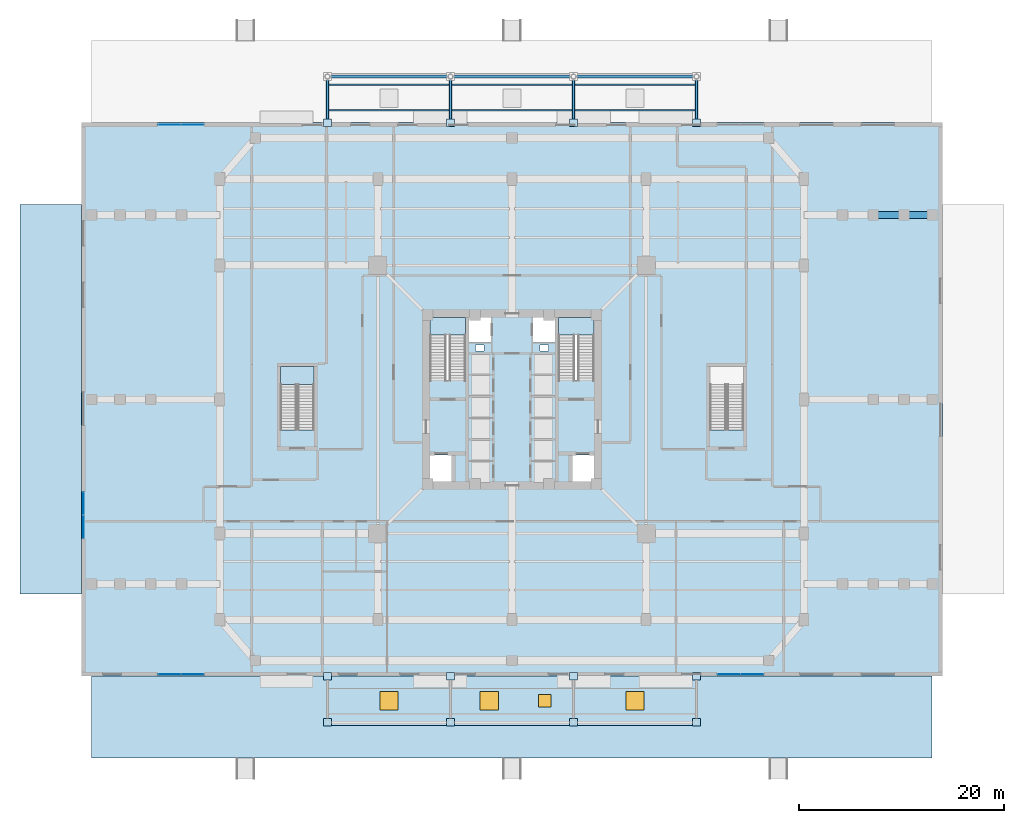
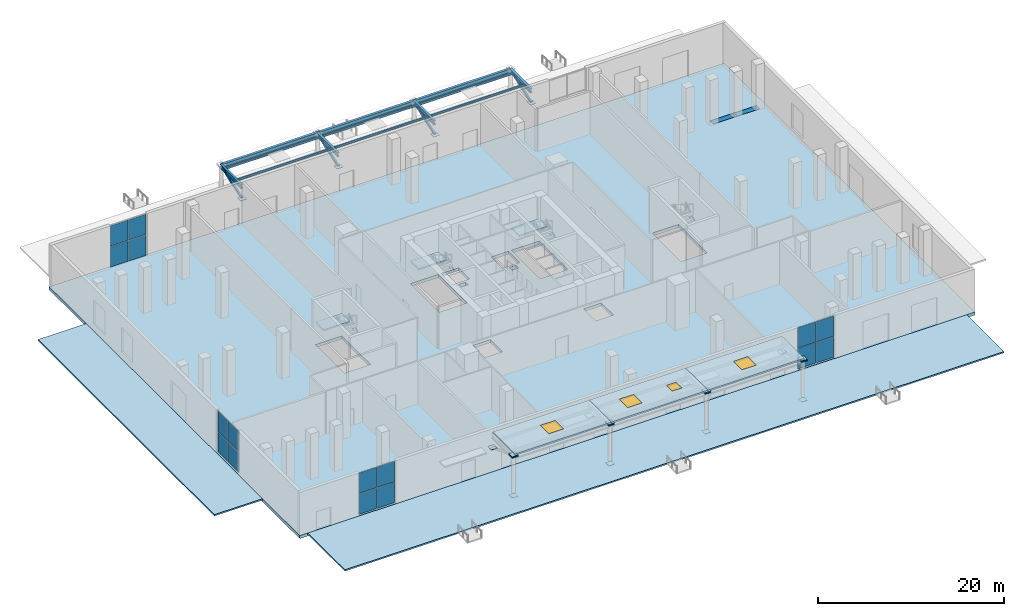
# One storey, part 13 of 25: 36 plates, 10 members, 9 beams, 9 slabs, 4 windows, 4 openings, 7 elements without a shape of their own.
"""IFC4 building model written with IfcOpenShell, lengths in metres."""

from ifc_helpers import new_model, si_unit, direction, frame, origin, origin_2d, place, context, subcontext, project, spatial, polyline, rectangle, hollow_rectangle, i_section, outline, extrude, source, transform, mapped, material, layer, layer_set, material_profile, profile_set, type_object, element, fill, aggregate, save


model = new_model("IFC4")

# Units and contexts
model_context = context("Model", 3, precision=1e-05, world=origin(), true_north=direction((0.0, 1.0)))
body_context = subcontext(model_context, "Body", "Model", "MODEL_VIEW")
ifc_project = project(units=[si_unit("LENGTHUNIT", "METRE"), si_unit("AREAUNIT", "SQUARE_METRE"), si_unit("VOLUMEUNIT", "CUBIC_METRE"), si_unit("PLANEANGLEUNIT", "RADIAN"), si_unit("MASSUNIT", "GRAM", prefix="KILO"), si_unit("THERMODYNAMICTEMPERATUREUNIT", "KELVIN")], contexts=[model_context])

# Site, building, storey
site_placement = place(None, origin())
site = spatial("IfcSite", under=ifc_project, at=site_placement, CompositionType="ELEMENT")
building_placement = place(site_placement, origin())
building = spatial("IfcBuilding", under=site, at=building_placement, Name="Kosmvard Interchange Tower", CompositionType="ELEMENT")
storey_placement = place(building_placement, origin())
storey = spatial("IfcBuildingStorey", under=building, at=storey_placement, Name="L00", CompositionType="ELEMENT", Elevation=0.0)

# Beams
ifc_material_1 = material(Name="Concrete C60/75", Category="concrete")
ifc_material_profile_1 = material_profile(ifc_material_1, rectangle(XDim=0.699951171875, YDim=1.0, at=origin_2d()), Name="RCG 700x1000")
ifc_profile_set_1 = profile_set([ifc_material_profile_1], Name="Concrete C60/75")
beam_type_1 = type_object("IfcBeamType", Name="Concourse Primary RC Girder 700x1000 C60/75", PredefinedType="BEAM", material=ifc_profile_set_1)
shared_shape_1 = source(origin(), body_context, "Body", "SweptSolid", [
    extrude(rectangle(XDim=0.699951171875, YDim=1.0, at=origin_2d()), origin(), (0.0, 0.0, 1.0), 3.0),
])
beam_1_placement = place(storey_placement, frame((35.25, 18.0, -0.5), z_axis=(1.0, 0.0, 0.0), x_axis=(0.0, 1.0, 0.0)))
element("IfcBeam", 1, at=beam_1_placement, inside=storey, type_object=beam_type_1, Name="BM-L00-PG-TCE33", PredefinedType="BEAM", context=body_context, shape_type="MappedRepresentation", body=[
    mapped(shared_shape_1, transform((0.0, 0.0, 0.0), scale=1.0)),
])
shared_shape_2 = source(origin(), body_context, "Body", "SweptSolid", [
    extrude(rectangle(XDim=0.699951171875, YDim=1.0, at=origin_2d()), origin(), (0.0, 0.0, 1.0), 2.75),
])
beam_2_placement = place(storey_placement, frame((38.25, 18.0, -0.5), z_axis=(1.0, 0.0, 0.0), x_axis=(0.0, 1.0, 0.0)))
element("IfcBeam", 2, at=beam_2_placement, inside=storey, type_object=beam_type_1, Name="BM-L00-PG-TCE34", PredefinedType="BEAM", context=body_context, shape_type="MappedRepresentation", body=[
    mapped(shared_shape_2, transform((0.0, 0.0, 0.0), scale=1.0)),
])
ifc_material_2 = material(Name="Steel S355", Category="steel")
ifc_material_profile_2 = material_profile(ifc_material_2, i_section(OverallWidth=0.300048828125, OverallDepth=0.550048828125, WebThickness=0.014892578125, FlangeThickness=0.029052734375, FilletRadius=0.027099609375, at=origin_2d()), Name="HEB 550")
ifc_profile_set_2 = profile_set([ifc_material_profile_2], Name="Steel S355")
beam_type_2 = type_object("IfcBeamType", Name="Crown Ring Cap Girder HEB 550 S355", PredefinedType="BEAM", material=ifc_profile_set_2)
shared_shape_3 = source(origin(), body_context, "Body", "SweptSolid", [
    extrude(i_section(OverallWidth=0.300048828125, OverallDepth=0.550048828125, WebThickness=0.014892578125, FlangeThickness=0.029052734375, FilletRadius=0.027099609375, at=origin_2d()), origin(), (0.0, 0.0, 1.0), 12.0),
])
for number, where, z_axis, x_axis, name in (
    (3, (-18.0, 31.5, 4.7451171875), (1.0, 0.0, 0.0), (0.0, 1.0, 0.0), "BM-L00-CGN1"),
    (4, (-6.0, 31.5, 4.7451171875), (1.0, 0.0, 0.0), (0.0, 1.0, 0.0), "BM-L00-CGN2"),
    (5, (6.0, 31.5, 4.7451171875), (1.0, 0.0, 0.0), (0.0, 1.0, 0.0), "BM-L00-CGN3"),
):
    element("IfcBeam", number, at=place(storey_placement, frame(where, z_axis=z_axis, x_axis=x_axis)), inside=storey, type_object=beam_type_2, Name=name, PredefinedType="BEAM", context=body_context, shape_type="MappedRepresentation", body=[
        mapped(shared_shape_3, transform((0.0, 0.0, 0.0), scale=1.0)),
    ])

# Members
ifc_material_profile_3 = material_profile(ifc_material_2, i_section(OverallWidth=0.135009765625, OverallDepth=0.27001953125, WebThickness=0.006591796875, FlangeThickness=0.01025390625, FilletRadius=0.014892578125, at=origin_2d()), Name="IPE 270")
ifc_profile_set_3 = profile_set([ifc_material_profile_3], Name="Steel S355")
member_type_1 = type_object("IfcMemberType", Name="Podium Canopy Roof Purlin IPE 270 S355", PredefinedType="PURLIN", material=ifc_profile_set_3)
shared_shape_4 = source(origin(), body_context, "Body", "SweptSolid", [
    extrude(i_section(OverallWidth=0.135009765625, OverallDepth=0.27001953125, WebThickness=0.006591796875, FlangeThickness=0.01025390625, FilletRadius=0.014892578125, at=origin_2d()), origin(), (0.0, 0.0, 1.0), 12.0),
])
for number, where, z_axis, x_axis, name in (
    (6, (-18.0, 28.199951171875, 4.885009765625), (1.0, 0.0, 0.0), (0.0, 1.0, 0.0), "L00 Canopy Roof Purlin N1.1"),
    (7, (-18.0, 30.699951171875, 4.885009765625), (1.0, 0.0, 0.0), (0.0, 1.0, 0.0), "L00 Canopy Roof Purlin N1.2"),
    (8, (-6.0, 28.199951171875, 4.885009765625), (1.0, 0.0, 0.0), (0.0, 1.0, 0.0), "L00 Canopy Roof Purlin N2.1"),
    (9, (-6.0, 30.699951171875, 4.885009765625), (1.0, 0.0, 0.0), (0.0, 1.0, 0.0), "L00 Canopy Roof Purlin N2.2"),
    (10, (6.0, 28.199951171875, 4.885009765625), (1.0, 0.0, 0.0), (0.0, 1.0, 0.0), "L00 Canopy Roof Purlin N3.1"),
    (11, (6.0, 30.699951171875, 4.885009765625), (1.0, 0.0, 0.0), (0.0, 1.0, 0.0), "L00 Canopy Roof Purlin N3.2"),
):
    element("IfcMember", number, at=place(storey_placement, frame(where, z_axis=z_axis, x_axis=x_axis)), inside=storey, type_object=member_type_1, Name=name, PredefinedType="PURLIN", context=body_context, shape_type="MappedRepresentation", body=[
        mapped(shared_shape_4, transform((0.0, 0.0, 0.0), scale=1.0)),
    ])

# Beams
shared_shape_5 = source(origin(), body_context, "Body", "SweptSolid", [
    extrude(i_section(OverallWidth=0.300048828125, OverallDepth=0.550048828125, WebThickness=0.014892578125, FlangeThickness=0.029052734375, FilletRadius=0.027099609375, at=origin_2d()), origin(), (0.0, 0.0, 1.0), 4.5),
])
for number, where, z_axis, x_axis, name in (
    (12, (-18.0, 27.0, 4.7451171875), (0.0, 1.0, 0.0), (-1.0, 0.0, 0.0), "BM-L00-CTN1"),
    (13, (-6.0, 27.0, 4.7451171875), (0.0, 1.0, 0.0), (-1.0, 0.0, 0.0), "BM-L00-CTN2"),
    (14, (6.0, 27.0, 4.7451171875), (0.0, 1.0, 0.0), (-1.0, 0.0, 0.0), "BM-L00-CTN3"),
    (15, (18.0, 27.0, 4.7451171875), (0.0, 1.0, 0.0), (-1.0, 0.0, 0.0), "BM-L00-CTN4"),
):
    element("IfcBeam", number, at=place(storey_placement, frame(where, z_axis=z_axis, x_axis=x_axis)), inside=storey, type_object=beam_type_2, Name=name, PredefinedType="BEAM", context=body_context, shape_type="MappedRepresentation", body=[
        mapped(shared_shape_5, transform((0.0, 0.0, 0.0), scale=1.0)),
    ])

# Members
ifc_material_profile_4 = material_profile(ifc_material_2, hollow_rectangle(XDim=0.199951171875, YDim=0.300048828125, WallThickness=0.01611328125, at=origin_2d()), Name="RHS 300x200x16")
ifc_profile_set_4 = profile_set([ifc_material_profile_4], Name="Steel S355")
member_type_2 = type_object("IfcMemberType", Name="Terrace Pergola Strut RHS 300x200x16 S355", PredefinedType="STRUT", material=ifc_profile_set_4)
shared_shape_6 = source(origin(), body_context, "Body", "SweptSolid", [
    extrude(hollow_rectangle(XDim=0.199951171875, YDim=0.300048828125, WallThickness=0.01611328125, at=origin_2d()), origin(), (0.0, 0.0, 1.0), 4.79296875),
])
for number, where, z_axis, x_axis, name in (
    (16, (-18.0, 27.0, 3.199951171875), (0.0, 0.93886643746, 0.344281589127), (-1.0, 0.0, 0.0), "L00 Entrance Canopy Strut N1"),
    (17, (-6.0, 27.0, 3.199951171875), (0.0, 0.93886643746, 0.344281589127), (-1.0, 0.0, 0.0), "L00 Entrance Canopy Strut N2"),
    (18, (6.0, 27.0, 3.199951171875), (0.0, 0.93886643746, 0.344281589127), (-1.0, 0.0, 0.0), "L00 Entrance Canopy Strut N3"),
    (19, (18.0, 27.0, 3.199951171875), (0.0, 0.93886643746, 0.344281589127), (-1.0, 0.0, 0.0), "L00 Entrance Canopy Strut N4"),
):
    element("IfcMember", number, at=place(storey_placement, frame(where, z_axis=z_axis, x_axis=x_axis)), inside=storey, type_object=member_type_2, Name=name, PredefinedType="STRUT", context=body_context, shape_type="MappedRepresentation", body=[
        mapped(shared_shape_6, transform((0.0, 0.0, 0.0), scale=1.0)),
    ])

# Slabs
ifc_material_3 = material(Name="Concrete C40/50", Category="concrete")
ifc_layer_1 = layer(ifc_material_3, 0.18994140625, Name="Concrete C40/50")
ifc_layer_set_1 = layer_set([ifc_layer_1], Name="Concrete C40/50")
slab_type_1 = type_object("IfcSlabType", Name="Arrival Plaza Paving Slab 190 C40/50", PredefinedType="FLOOR", material=ifc_layer_set_1)
slab_1_placement = place(storey_placement, frame((0.0, 0.0, -0.18994140625)))
element("IfcSlab", 20, at=slab_1_placement, inside=storey, type_object=slab_type_1, Name="L00 Outdoor Terrace Balcony Slab PLZ-S", PredefinedType="FLOOR", context=body_context, shape_type="SweptSolid", body=[
    extrude(outline(polyline([(-41.0, -35.0), (41.0, -35.0), (41.0, -27.0), (-41.0, -27.0), (-41.0, -35.0)])), origin(), (0.0, 0.0, 1.0), 0.18994140625),
])
slab_2_placement = place(storey_placement, frame((0.0, 0.0, -0.18994140625)))
element("IfcSlab", 21, at=slab_2_placement, inside=storey, type_object=slab_type_1, Name="L00 Outdoor Terrace Balcony Slab PLZ-W", PredefinedType="FLOOR", context=body_context, shape_type="SweptSolid", body=[
    extrude(outline(polyline([(-48.0, -19.0), (-42.0, -19.0), (-42.0, 19.0), (-48.0, 19.0), (-48.0, -19.0)])), origin(), (0.0, 0.0, 1.0), 0.18994140625),
])

# Slab, opening, window
ifc_material_4 = material(Name="Precast concrete C45/55", Category="concrete")
ifc_layer_2 = layer(ifc_material_4, 0.2099609375, Name="Precast concrete C45/55")
ifc_layer_set_2 = layer_set([ifc_layer_2], Name="Precast concrete C45/55")
slab_type_2 = type_object("IfcSlabType", Name="Canopy & Podium Roof Deck Slab 210 C45/55", PredefinedType="ROOF", material=ifc_layer_set_2)
slab_3_placement = place(storey_placement, frame((0.0, 0.0, 5.02001953125)))
slab_3 = element("IfcSlab", 22, at=slab_3_placement, inside=storey, type_object=slab_type_2, Name="L00 Entrance Canopy Roof Slab S1", PredefinedType="ROOF", context=body_context, shape_type="SweptSolid", body=[
    extrude(outline(polyline([(-18.0, -31.800048828125), (-6.0, -31.800048828125), (-6.0, -27.0), (-18.0, -27.0), (-18.0, -31.800048828125)])), origin(), (0.0, 0.0, 1.0), 0.2099609375),
])
opening_1_placement = place(slab_3_placement, frame((-12.0, -29.39990234375, -0.010009765625)))
opening_1 = element("IfcOpeningElement", 23, at=opening_1_placement, cuts=slab_3, Name="Opening SK-S1", PredefinedType="OPENING", context=body_context, shape_type="SweptSolid", body=[
    extrude(rectangle(XDim=1.800048828125, YDim=1.800048828125, at=origin_2d()), origin(), (0.0, 0.0, 1.0), 0.22998046875),
])
ifc_material_5 = material(Name="Tempered skylight glazing", Category="glass")
window_type_1 = type_object("IfcWindowType", Name="Podium Terrace Daylight Skylight 1800x1800", PartitioningType="SINGLE_PANEL", PredefinedType="SKYLIGHT", material=ifc_material_5)
window_1_placement = place(opening_1_placement, frame((0.0, 0.0, 0.169921875)))
window_1 = element("IfcWindow", 24, at=window_1_placement, inside=storey, type_object=window_type_1, Name="L00 Canopy Skylight S1", OverallHeight=1.800048828125, OverallWidth=1.800048828125, PartitioningType="SINGLE_PANEL", PredefinedType="SKYLIGHT", context=body_context, shape_type="SweptSolid", body=[
    extrude(rectangle(XDim=1.800048828125, YDim=1.800048828125, at=origin_2d()), origin(), (0.0, 0.0, 1.0), 0.050048828125),
])
fill(opening_1, window_1)

# Slab, openings, windows
slab_4_placement = place(storey_placement, frame((0.0, 0.0, 5.02001953125)))
slab_4 = element("IfcSlab", 25, at=slab_4_placement, inside=storey, type_object=slab_type_2, Name="L00 Entrance Canopy Roof Slab S2", PredefinedType="ROOF", context=body_context, shape_type="SweptSolid", body=[
    extrude(outline(polyline([(-6.0, -31.800048828125), (6.0, -31.800048828125), (6.0, -27.0), (-6.0, -27.0), (-6.0, -31.800048828125)])), origin(), (0.0, 0.0, 1.0), 0.2099609375),
])
opening_2_placement = place(slab_4_placement, frame((-2.199951171875, -29.39990234375, -0.010009765625)))
opening_2 = element("IfcOpeningElement", 26, at=opening_2_placement, cuts=slab_4, Name="Opening SK-S2", PredefinedType="OPENING", context=body_context, shape_type="SweptSolid", body=[
    extrude(rectangle(XDim=1.800048828125, YDim=1.800048828125, at=origin_2d()), origin(), (0.0, 0.0, 1.0), 0.22998046875),
])
opening_3_placement = place(slab_4_placement, frame((3.199951171875, -29.39990234375, -0.010009765625)))
opening_3 = element("IfcOpeningElement", 27, at=opening_3_placement, cuts=slab_4, Name="Opening SK-C1", PredefinedType="OPENING", context=body_context, shape_type="SweptSolid", body=[
    extrude(rectangle(XDim=1.199951171875, YDim=1.199951171875, at=origin_2d()), origin(), (0.0, 0.0, 1.0), 0.22998046875),
])
window_type_2 = type_object("IfcWindowType", Name="Lantern Roof Access Hatch Skylight 1200x1200", PartitioningType="SINGLE_PANEL", PredefinedType="SKYLIGHT", material=ifc_material_5)
window_2_placement = place(opening_3_placement, frame((0.0, 0.0, 0.169921875)))
window_2 = element("IfcWindow", 28, at=window_2_placement, inside=storey, type_object=window_type_2, Name="L00 Concourse Canopy Maintenance Skylight C1", OverallHeight=1.199951171875, OverallWidth=1.199951171875, PartitioningType="SINGLE_PANEL", PredefinedType="SKYLIGHT", context=body_context, shape_type="SweptSolid", body=[
    extrude(rectangle(XDim=1.199951171875, YDim=1.199951171875, at=origin_2d()), origin(), (0.0, 0.0, 1.0), 0.050048828125),
])
fill(opening_3, window_2)
window_3_placement = place(opening_2_placement, frame((0.0, 0.0, 0.169921875)))
window_3 = element("IfcWindow", 29, at=window_3_placement, inside=storey, type_object=window_type_1, Name="L00 Canopy Skylight S2", OverallHeight=1.800048828125, OverallWidth=1.800048828125, PartitioningType="SINGLE_PANEL", PredefinedType="SKYLIGHT", context=body_context, shape_type="SweptSolid", body=[
    extrude(rectangle(XDim=1.800048828125, YDim=1.800048828125, at=origin_2d()), origin(), (0.0, 0.0, 1.0), 0.050048828125),
])
fill(opening_2, window_3)

# Slab, opening, window
slab_5_placement = place(storey_placement, frame((0.0, 0.0, 5.02001953125)))
slab_5 = element("IfcSlab", 30, at=slab_5_placement, inside=storey, type_object=slab_type_2, Name="L00 Entrance Canopy Roof Slab S3", PredefinedType="ROOF", context=body_context, shape_type="SweptSolid", body=[
    extrude(outline(polyline([(6.0, -31.800048828125), (18.0, -31.800048828125), (18.0, -27.0), (6.0, -27.0), (6.0, -31.800048828125)])), origin(), (0.0, 0.0, 1.0), 0.2099609375),
])
opening_4_placement = place(slab_5_placement, frame((12.0, -29.39990234375, -0.010009765625)))
opening_4 = element("IfcOpeningElement", 31, at=opening_4_placement, cuts=slab_5, Name="Opening SK-S3", PredefinedType="OPENING", context=body_context, shape_type="SweptSolid", body=[
    extrude(rectangle(XDim=1.800048828125, YDim=1.800048828125, at=origin_2d()), origin(), (0.0, 0.0, 1.0), 0.22998046875),
])
window_4_placement = place(opening_4_placement, frame((0.0, 0.0, 0.169921875)))
window_4 = element("IfcWindow", 32, at=window_4_placement, inside=storey, type_object=window_type_1, Name="L00 Canopy Skylight S3", OverallHeight=1.800048828125, OverallWidth=1.800048828125, PartitioningType="SINGLE_PANEL", PredefinedType="SKYLIGHT", context=body_context, shape_type="SweptSolid", body=[
    extrude(rectangle(XDim=1.800048828125, YDim=1.800048828125, at=origin_2d()), origin(), (0.0, 0.0, 1.0), 0.050048828125),
])
fill(opening_4, window_4)

# Slab
ifc_layer_3 = layer(ifc_material_1, 0.39990234375, Name="Concrete C60/75")
ifc_layer_set_3 = layer_set([ifc_layer_3], Name="Concrete C60/75")
slab_type_3 = type_object("IfcSlabType", Name="Concourse & Transfer Structural Slab 400 C60/75", PredefinedType="FLOOR", material=ifc_layer_set_3)
slab_6_placement = place(storey_placement, frame((0.0, 0.0, -0.39990234375)))
element("IfcSlab", 33, at=slab_6_placement, inside=storey, type_object=slab_type_3, Name="L00 Structural Floor Slab", PredefinedType="FLOOR", context=body_context, shape_type="SweptSolid", body=[
    extrude(outline(polyline([(-42.0, -27.0), (42.0, -27.0), (42.0, 27.0), (-42.0, 27.0), (-42.0, -27.0)]), holes=[polyline([(-8.0, 1.8349609375), (-4.5400390625, 1.8349609375), (-4.5400390625, 8.0), (-8.0, 8.0), (-8.0, 1.8349609375)]), polyline([(4.5400390625, 1.8349609375), (8.0, 1.8349609375), (8.0, 8.0), (4.5400390625, 8.0), (4.5400390625, 1.8349609375)]), polyline([(-22.580078125, -2.965087890625), (-19.320068359375, -2.965087890625), (-19.320068359375, 3.199951171875), (-22.580078125, 3.199951171875), (-22.580078125, -2.965087890625)]), polyline([(19.320068359375, -2.965087890625), (22.580078125, -2.965087890625), (22.580078125, 3.199951171875), (19.320068359375, 3.199951171875), (19.320068359375, -2.965087890625)]), polyline([(-8.0, -8.0), (-5.800048828125, -8.0), (-5.800048828125, -5.39990234375), (-8.0, -5.39990234375), (-8.0, -8.0)]), polyline([(5.800048828125, -8.0), (8.0, -8.0), (8.0, -5.39990234375), (5.800048828125, -5.39990234375), (5.800048828125, -8.0)]), polyline([(-4.179931640625, 5.60009765625), (-2.0400390625, 5.60009765625), (-2.0400390625, 8.0), (-4.179931640625, 8.0), (-4.179931640625, 5.60009765625)]), polyline([(2.0400390625, 5.60009765625), (4.179931640625, 5.60009765625), (4.179931640625, 8.0), (2.0400390625, 8.0), (2.0400390625, 5.60009765625)]), polyline([(-3.56494140625, 4.739990234375), (-2.715087890625, 4.739990234375), (-2.715087890625, 5.2900390625), (-3.56494140625, 5.2900390625), (-3.56494140625, 4.739990234375)]), polyline([(2.715087890625, 4.739990234375), (3.56494140625, 4.739990234375), (3.56494140625, 5.2900390625), (2.715087890625, 5.2900390625), (2.715087890625, 4.739990234375)])]), origin(), (0.0, 0.0, 1.0), 0.39990234375),
])

# Stair, slab
ifc_material_6 = material(Name="Concrete C50/60", Category="concrete")
stair_type = type_object("IfcStairType", Name="Dog-Leg Core Exit Stair H6000 C50/60", PredefinedType="HALF_TURN_STAIR", material=ifc_material_6)
stair_1_placement = place(storey_placement, origin())
stair_1 = element("IfcStair", 34, at=stair_1_placement, inside=storey, type_object=stair_type, Name="L00 Protected Exit Stair ST-1", PredefinedType="HALF_TURN_STAIR")
ifc_layer_4 = layer(ifc_material_6, 0.199951171875, Name="Concrete C50/60")
ifc_layer_set_4 = layer_set([ifc_layer_4], Name="Concrete C50/60")
slab_type_4 = type_object("IfcSlabType", Name="Stair Half-Landing Slab 200 C50/60", PredefinedType="LANDING", material=ifc_layer_set_4)
slab_7_placement = place(storey_placement, frame((0.0, 0.0, 2.800048828125)))
slab_7 = element("IfcSlab", 35, at=slab_7_placement, type_object=slab_type_4, Name="ST-1 landing 1", PredefinedType="LANDING", context=body_context, shape_type="SweptSolid", body=[
    extrude(outline(polyline([(-4.5400390625, 6.280029296875), (-4.5400390625, 8.0), (-8.0, 8.0), (-8.0, 6.280029296875), (-4.5400390625, 6.280029296875)])), origin(), (0.0, 0.0, 1.0), 0.199951171875),
])
aggregate(stair_1, [slab_7])

stair_2_placement = place(storey_placement, origin())
stair_2 = element("IfcStair", 36, at=stair_2_placement, inside=storey, type_object=stair_type, Name="L00 Protected Exit Stair ST-2", PredefinedType="HALF_TURN_STAIR")
slab_8_placement = place(storey_placement, frame((0.0, 0.0, 2.800048828125)))
slab_8 = element("IfcSlab", 37, at=slab_8_placement, type_object=slab_type_4, Name="ST-2 landing 1", PredefinedType="LANDING", context=body_context, shape_type="SweptSolid", body=[
    extrude(outline(polyline([(8.0, 6.280029296875), (8.0, 8.0), (4.5400390625, 8.0), (4.5400390625, 6.280029296875), (8.0, 6.280029296875)])), origin(), (0.0, 0.0, 1.0), 0.199951171875),
])
aggregate(stair_2, [slab_8])

stair_3_placement = place(storey_placement, origin())
stair_3 = element("IfcStair", 38, at=stair_3_placement, inside=storey, type_object=stair_type, Name="L00 Podium Concourse Stair ST-3", PredefinedType="HALF_TURN_STAIR")
slab_9_placement = place(storey_placement, frame((0.0, 0.0, 2.800048828125)))
slab_9 = element("IfcSlab", 39, at=slab_9_placement, type_object=slab_type_4, Name="ST-3 landing 1", PredefinedType="LANDING", context=body_context, shape_type="SweptSolid", body=[
    extrude(outline(polyline([(-19.320068359375, 1.47998046875), (-19.320068359375, 3.199951171875), (-22.580078125, 3.199951171875), (-22.580078125, 1.47998046875), (-19.320068359375, 1.47998046875)])), origin(), (0.0, 0.0, 1.0), 0.199951171875),
])
aggregate(stair_3, [slab_9])

# Plates
ifc_layer_5 = layer(ifc_material_2, 0.0380859375, Name="Steel S355")
ifc_layer_set_5 = layer_set([ifc_layer_5], Name="Steel S355")
plate_type_1 = type_object("IfcPlateType", Name="Lantern Base & Chord End Cap Stiffener 750x750x38 S355", PredefinedType="USERDEFINED", material=ifc_layer_set_5)
shared_shape_7 = source(origin(), body_context, "Body", "SweptSolid", [
    extrude(rectangle(XDim=0.75, YDim=0.75, at=origin_2d()), origin(), (0.0, 0.0, 1.0), 0.0380859375),
])
for number, where, z_axis, x_axis, name in (
    (40, (-18.0, -31.5, -0.4189453125), (0.0, 0.0, 1.0), (1.0, 0.0, 0.0), "Canopy Column End Cap Plate COL-L00-CCS1 BOT"),
    (41, (-18.0, -31.5, 4.98095703125), (0.0, 0.0, 1.0), (1.0, 0.0, 0.0), "Canopy Column End Cap Plate COL-L00-CCS1 TOP"),
    (42, (-6.0, -31.5, -0.4189453125), (0.0, 0.0, 1.0), (1.0, 0.0, 0.0), "Canopy Column End Cap Plate COL-L00-CCS2 BOT"),
    (43, (-6.0, -31.5, 4.98095703125), (0.0, 0.0, 1.0), (1.0, 0.0, 0.0), "Canopy Column End Cap Plate COL-L00-CCS2 TOP"),
    (44, (6.0, -31.5, -0.4189453125), (0.0, 0.0, 1.0), (1.0, 0.0, 0.0), "Canopy Column End Cap Plate COL-L00-CCS3 BOT"),
    (45, (6.0, -31.5, 4.98095703125), (0.0, 0.0, 1.0), (1.0, 0.0, 0.0), "Canopy Column End Cap Plate COL-L00-CCS3 TOP"),
    (46, (18.0, -31.5, -0.4189453125), (0.0, 0.0, 1.0), (1.0, 0.0, 0.0), "Canopy Column End Cap Plate COL-L00-CCS4 BOT"),
    (47, (18.0, -31.5, 4.98095703125), (0.0, 0.0, 1.0), (1.0, 0.0, 0.0), "Canopy Column End Cap Plate COL-L00-CCS4 TOP"),
    (48, (-18.0, -27.0, 3.180908203125), (0.0, 0.0, 1.0), (1.0, 0.0, 0.0), "Canopy Strut Gusset Cap MEM-L00-CSS1 A"),
    (49, (-18.0, -31.5, 4.8310546875), (0.0, 0.0, 1.0), (1.0, 0.0, 0.0), "Canopy Strut Gusset Cap MEM-L00-CSS1 B"),
    (50, (-6.0, -27.0, 3.180908203125), (0.0, 0.0, 1.0), (1.0, 0.0, 0.0), "Canopy Strut Gusset Cap MEM-L00-CSS2 A"),
    (51, (-6.0, -31.5, 4.8310546875), (0.0, 0.0, 1.0), (1.0, 0.0, 0.0), "Canopy Strut Gusset Cap MEM-L00-CSS2 B"),
    (52, (6.0, -27.0, 3.180908203125), (0.0, 0.0, 1.0), (1.0, 0.0, 0.0), "Canopy Strut Gusset Cap MEM-L00-CSS3 A"),
    (53, (6.0, -31.5, 4.8310546875), (0.0, 0.0, 1.0), (1.0, 0.0, 0.0), "Canopy Strut Gusset Cap MEM-L00-CSS3 B"),
    (54, (18.0, -27.0, 3.180908203125), (0.0, 0.0, 1.0), (1.0, 0.0, 0.0), "Canopy Strut Gusset Cap MEM-L00-CSS4 A"),
    (55, (18.0, -31.5, 4.8310546875), (0.0, 0.0, 1.0), (1.0, 0.0, 0.0), "Canopy Strut Gusset Cap MEM-L00-CSS4 B"),
    (56, (-18.0, 27.0, 3.180908203125), (0.0, 0.0, 1.0), (1.0, 0.0, 0.0), "Canopy Strut Gusset Cap MEM-L00-CSN1 A"),
    (57, (-6.0, 27.0, 3.180908203125), (0.0, 0.0, 1.0), (1.0, 0.0, 0.0), "Canopy Strut Gusset Cap MEM-L00-CSN2 A"),
    (58, (6.0, 27.0, 3.180908203125), (0.0, 0.0, 1.0), (1.0, 0.0, 0.0), "Canopy Strut Gusset Cap MEM-L00-CSN3 A"),
    (59, (18.0, 27.0, 3.180908203125), (0.0, 0.0, 1.0), (1.0, 0.0, 0.0), "Canopy Strut Gusset Cap MEM-L00-CSN4 A"),
):
    element("IfcPlate", number, at=place(storey_placement, frame(where, z_axis=z_axis, x_axis=x_axis)), inside=storey, type_object=plate_type_1, Name=name, ObjectType="STIFFENER_PLATE", PredefinedType="USERDEFINED", context=body_context, shape_type="MappedRepresentation", body=[
        mapped(shared_shape_7, transform((0.0, 0.0, 0.0), scale=1.0)),
    ])

# Curtain wall, plates
ifc_material_7 = material(Name="Architectural anodised aluminium", Category="aluminium")
ifc_layer_6 = layer(ifc_material_7, 0.219970703125, Name="Architectural anodised aluminium")
ifc_layer_set_6 = layer_set([ifc_layer_6], Name="Architectural anodised aluminium")
curtain_wall_type = type_object("IfcCurtainWallType", Name="CW-1 Concourse Shopfront Curtain Wall", PredefinedType="NOTDEFINED", material=ifc_layer_set_6)
curtain_wall_1_placement = place(storey_placement, origin())
curtain_wall_1 = element("IfcCurtainWall", 60, at=curtain_wall_1_placement, inside=storey, type_object=curtain_wall_type, Name="L00 Shopfront Curtain Wall CW1-S1", PredefinedType="NOTDEFINED")
ifc_material_8 = material(Name="Low-E solar-control double glazing", Category="glass")
ifc_layer_7 = layer(ifc_material_8, 0.028076171875, Name="Low-E solar-control double glazing")
ifc_layer_set_7 = layer_set([ifc_layer_7], Name="Low-E solar-control double glazing")
plate_type_2 = type_object("IfcPlateType", Name="Concourse Vision Curtain Panel 28", PredefinedType="CURTAIN_PANEL", material=ifc_layer_set_7)
shared_shape_8 = source(origin(), body_context, "Body", "SweptSolid", [
    extrude(rectangle(XDim=2.1875, YDim=0.028076171875, at=origin_2d()), origin(), (0.0, 0.0, 1.0), 2.6826171875),
])
plate_1_placement = place(storey_placement, frame((-33.43115234375, -26.800048828125, 0.06494140625), z_axis=(0.0, 0.0, 1.0), x_axis=(1.0, 0.0, 0.0)))
plate_1 = element("IfcPlate", 61, at=plate_1_placement, type_object=plate_type_2, Name="CW-1 panel 1.1", PredefinedType="CURTAIN_PANEL", context=body_context, shape_type="MappedRepresentation", body=[
    mapped(shared_shape_8, transform((0.0, 0.0, 0.0), scale=1.0)),
])
plate_2_placement = place(storey_placement, frame((-33.43115234375, -26.800048828125, 2.8125), z_axis=(0.0, 0.0, 1.0), x_axis=(1.0, 0.0, 0.0)))
plate_2 = element("IfcPlate", 62, at=plate_2_placement, type_object=plate_type_2, Name="CW-1 panel 1.2", PredefinedType="CURTAIN_PANEL", context=body_context, shape_type="MappedRepresentation", body=[
    mapped(shared_shape_8, transform((0.0, 0.0, 0.0), scale=1.0)),
])
plate_3_placement = place(storey_placement, frame((-31.168701171875, -26.800048828125, 0.06494140625), z_axis=(0.0, 0.0, 1.0), x_axis=(1.0, 0.0, 0.0)))
plate_3 = element("IfcPlate", 63, at=plate_3_placement, type_object=plate_type_2, Name="CW-1 panel 2.1", PredefinedType="CURTAIN_PANEL", context=body_context, shape_type="MappedRepresentation", body=[
    mapped(shared_shape_8, transform((0.0, 0.0, 0.0), scale=1.0)),
])
plate_4_placement = place(storey_placement, frame((-31.168701171875, -26.800048828125, 2.8125), z_axis=(0.0, 0.0, 1.0), x_axis=(1.0, 0.0, 0.0)))
plate_4 = element("IfcPlate", 64, at=plate_4_placement, type_object=plate_type_2, Name="CW-1 panel 2.2", PredefinedType="CURTAIN_PANEL", context=body_context, shape_type="MappedRepresentation", body=[
    mapped(shared_shape_8, transform((0.0, 0.0, 0.0), scale=1.0)),
])
aggregate(curtain_wall_1, [plate_1, plate_2, plate_3, plate_4])

curtain_wall_2_placement = place(storey_placement, origin())
curtain_wall_2 = element("IfcCurtainWall", 65, at=curtain_wall_2_placement, inside=storey, type_object=curtain_wall_type, Name="L00 Shopfront Curtain Wall CW1-S2", PredefinedType="NOTDEFINED")
plate_5_placement = place(storey_placement, frame((21.168701171875, -26.800048828125, 0.06494140625), z_axis=(0.0, 0.0, 1.0), x_axis=(1.0, 0.0, 0.0)))
plate_5 = element("IfcPlate", 66, at=plate_5_placement, type_object=plate_type_2, Name="CW-1 panel 1.1", PredefinedType="CURTAIN_PANEL", context=body_context, shape_type="MappedRepresentation", body=[
    mapped(shared_shape_8, transform((0.0, 0.0, 0.0), scale=1.0)),
])
plate_6_placement = place(storey_placement, frame((21.168701171875, -26.800048828125, 2.8125), z_axis=(0.0, 0.0, 1.0), x_axis=(1.0, 0.0, 0.0)))
plate_6 = element("IfcPlate", 67, at=plate_6_placement, type_object=plate_type_2, Name="CW-1 panel 1.2", PredefinedType="CURTAIN_PANEL", context=body_context, shape_type="MappedRepresentation", body=[
    mapped(shared_shape_8, transform((0.0, 0.0, 0.0), scale=1.0)),
])
plate_7_placement = place(storey_placement, frame((23.43115234375, -26.800048828125, 0.06494140625), z_axis=(0.0, 0.0, 1.0), x_axis=(1.0, 0.0, 0.0)))
plate_7 = element("IfcPlate", 68, at=plate_7_placement, type_object=plate_type_2, Name="CW-1 panel 2.1", PredefinedType="CURTAIN_PANEL", context=body_context, shape_type="MappedRepresentation", body=[
    mapped(shared_shape_8, transform((0.0, 0.0, 0.0), scale=1.0)),
])
plate_8_placement = place(storey_placement, frame((23.43115234375, -26.800048828125, 2.8125), z_axis=(0.0, 0.0, 1.0), x_axis=(1.0, 0.0, 0.0)))
plate_8 = element("IfcPlate", 69, at=plate_8_placement, type_object=plate_type_2, Name="CW-1 panel 2.2", PredefinedType="CURTAIN_PANEL", context=body_context, shape_type="MappedRepresentation", body=[
    mapped(shared_shape_8, transform((0.0, 0.0, 0.0), scale=1.0)),
])
aggregate(curtain_wall_2, [plate_5, plate_6, plate_7, plate_8])

curtain_wall_3_placement = place(storey_placement, origin())
curtain_wall_3 = element("IfcCurtainWall", 70, at=curtain_wall_3_placement, inside=storey, type_object=curtain_wall_type, Name="L00 Shopfront Curtain Wall CW1-N1", PredefinedType="NOTDEFINED")
plate_9_placement = place(storey_placement, frame((-33.43115234375, 26.800048828125, 0.06494140625), z_axis=(0.0, 0.0, 1.0), x_axis=(1.0, 0.0, 0.0)))
plate_9 = element("IfcPlate", 71, at=plate_9_placement, type_object=plate_type_2, Name="CW-1 panel 1.1", PredefinedType="CURTAIN_PANEL", context=body_context, shape_type="MappedRepresentation", body=[
    mapped(shared_shape_8, transform((0.0, 0.0, 0.0), scale=1.0)),
])
plate_10_placement = place(storey_placement, frame((-33.43115234375, 26.800048828125, 2.8125), z_axis=(0.0, 0.0, 1.0), x_axis=(1.0, 0.0, 0.0)))
plate_10 = element("IfcPlate", 72, at=plate_10_placement, type_object=plate_type_2, Name="CW-1 panel 1.2", PredefinedType="CURTAIN_PANEL", context=body_context, shape_type="MappedRepresentation", body=[
    mapped(shared_shape_8, transform((0.0, 0.0, 0.0), scale=1.0)),
])
plate_11_placement = place(storey_placement, frame((-31.168701171875, 26.800048828125, 0.06494140625), z_axis=(0.0, 0.0, 1.0), x_axis=(1.0, 0.0, 0.0)))
plate_11 = element("IfcPlate", 73, at=plate_11_placement, type_object=plate_type_2, Name="CW-1 panel 2.1", PredefinedType="CURTAIN_PANEL", context=body_context, shape_type="MappedRepresentation", body=[
    mapped(shared_shape_8, transform((0.0, 0.0, 0.0), scale=1.0)),
])
plate_12_placement = place(storey_placement, frame((-31.168701171875, 26.800048828125, 2.8125), z_axis=(0.0, 0.0, 1.0), x_axis=(1.0, 0.0, 0.0)))
plate_12 = element("IfcPlate", 74, at=plate_12_placement, type_object=plate_type_2, Name="CW-1 panel 2.2", PredefinedType="CURTAIN_PANEL", context=body_context, shape_type="MappedRepresentation", body=[
    mapped(shared_shape_8, transform((0.0, 0.0, 0.0), scale=1.0)),
])
aggregate(curtain_wall_3, [plate_9, plate_10, plate_11, plate_12])

curtain_wall_4_placement = place(storey_placement, origin())
curtain_wall_4 = element("IfcCurtainWall", 75, at=curtain_wall_4_placement, inside=storey, type_object=curtain_wall_type, Name="L00 Shopfront Curtain Wall CW1-W1", PredefinedType="NOTDEFINED")
plate_13_placement = place(storey_placement, frame((-41.800048828125, -12.43115234375, 0.06494140625), z_axis=(0.0, 0.0, 1.0), x_axis=(0.0, 1.0, 0.0)))
plate_13 = element("IfcPlate", 76, at=plate_13_placement, type_object=plate_type_2, Name="CW-1 panel 1.1", PredefinedType="CURTAIN_PANEL", context=body_context, shape_type="MappedRepresentation", body=[
    mapped(shared_shape_8, transform((0.0, 0.0, 0.0), scale=1.0)),
])
plate_14_placement = place(storey_placement, frame((-41.800048828125, -12.43115234375, 2.8125), z_axis=(0.0, 0.0, 1.0), x_axis=(0.0, 1.0, 0.0)))
plate_14 = element("IfcPlate", 77, at=plate_14_placement, type_object=plate_type_2, Name="CW-1 panel 1.2", PredefinedType="CURTAIN_PANEL", context=body_context, shape_type="MappedRepresentation", body=[
    mapped(shared_shape_8, transform((0.0, 0.0, 0.0), scale=1.0)),
])
plate_15_placement = place(storey_placement, frame((-41.800048828125, -10.168701171875, 0.06494140625), z_axis=(0.0, 0.0, 1.0), x_axis=(0.0, 1.0, 0.0)))
plate_15 = element("IfcPlate", 78, at=plate_15_placement, type_object=plate_type_2, Name="CW-1 panel 2.1", PredefinedType="CURTAIN_PANEL", context=body_context, shape_type="MappedRepresentation", body=[
    mapped(shared_shape_8, transform((0.0, 0.0, 0.0), scale=1.0)),
])
plate_16_placement = place(storey_placement, frame((-41.800048828125, -10.168701171875, 2.8125), z_axis=(0.0, 0.0, 1.0), x_axis=(0.0, 1.0, 0.0)))
plate_16 = element("IfcPlate", 79, at=plate_16_placement, type_object=plate_type_2, Name="CW-1 panel 2.2", PredefinedType="CURTAIN_PANEL", context=body_context, shape_type="MappedRepresentation", body=[
    mapped(shared_shape_8, transform((0.0, 0.0, 0.0), scale=1.0)),
])
aggregate(curtain_wall_4, [plate_13, plate_14, plate_15, plate_16])

save(model, "model.ifc")
